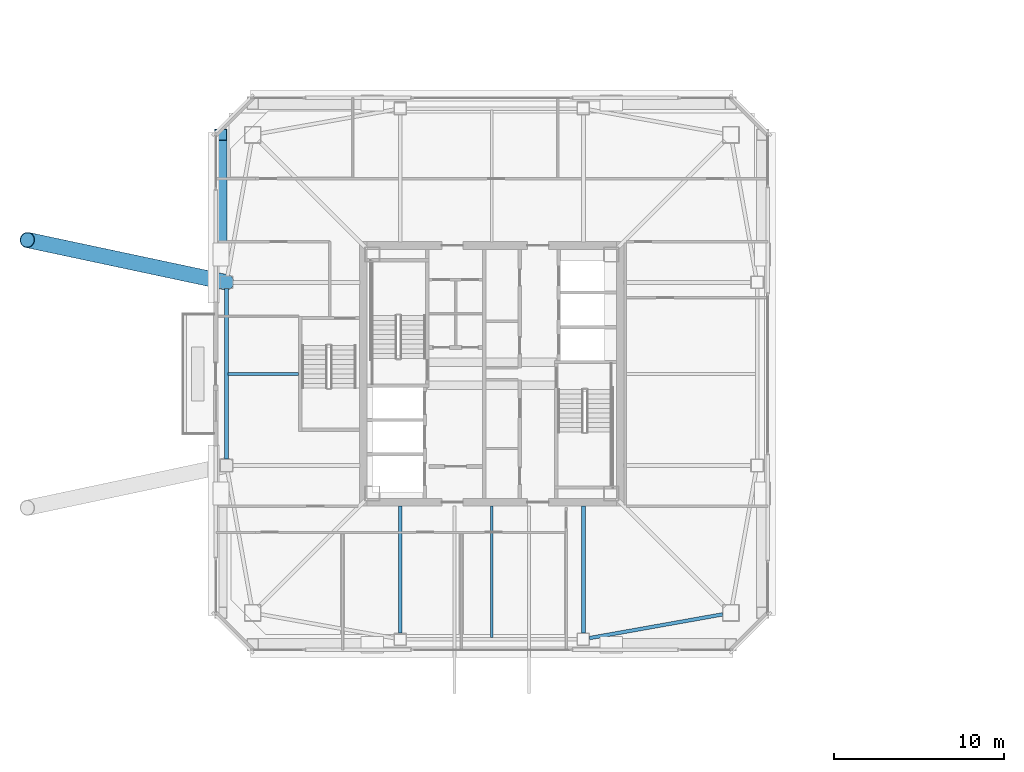
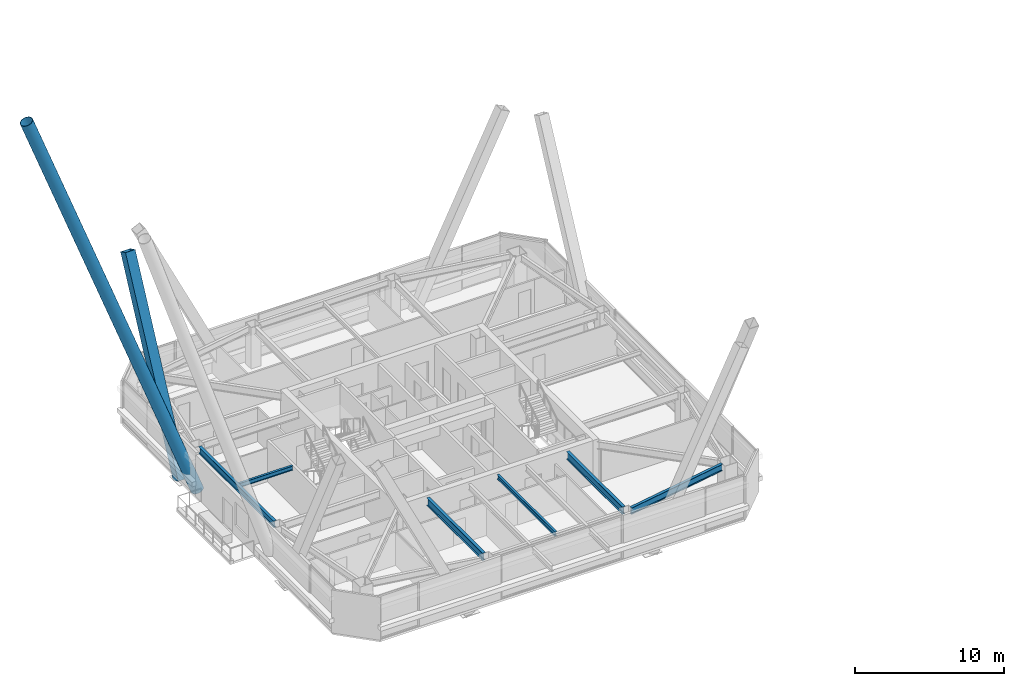
# One storey, part 10 of 56: 6 beams, 2 members.
"""IFC4 building model written with IfcOpenShell, lengths in metres."""

from ifc_helpers import new_model, si_unit, direction, frame, origin, origin_2d, place, context, subcontext, project, spatial, hollow_rectangle, hollow_circle, i_section, extrude, material, material_profile, profile_set, type_object, element, save


model = new_model("IFC4")

# Units and contexts
model_context = context("Model", 3, precision=1e-05, world=origin(), true_north=direction((0.0, 1.0)))
body_context = subcontext(model_context, "Body", "Model", "MODEL_VIEW")
ifc_project = project(units=[si_unit("LENGTHUNIT", "METRE"), si_unit("AREAUNIT", "SQUARE_METRE"), si_unit("VOLUMEUNIT", "CUBIC_METRE"), si_unit("PLANEANGLEUNIT", "RADIAN"), si_unit("MASSUNIT", "GRAM", prefix="KILO")], contexts=[model_context])

# Site, building, storey
site_placement = place(None, origin())
site = spatial("IfcSite", under=ifc_project, at=site_placement, CompositionType="ELEMENT")
building_placement = place(site_placement, origin())
building = spatial("IfcBuilding", under=site, at=building_placement, Name="Tashvorn Skyway Center", CompositionType="ELEMENT")
storey_placement = place(building_placement, frame((0.0, 0.0, 218.39990234375)))
storey = spatial("IfcBuildingStorey", under=building, at=storey_placement, Name="L59", CompositionType="ELEMENT", Elevation=218.39990234375)

# Beams
ifc_material_1 = material(Name="Steel ASTM A992 Grade 50", Category="steel")
ifc_material_profile_1 = material_profile(ifc_material_1, i_section(OverallWidth=0.22998046875, OverallDepth=0.616943359375, WebThickness=0.01318359375, FlangeThickness=0.022216796875, at=origin_2d()), Name="W24X94")
ifc_profile_set_1 = profile_set([ifc_material_profile_1], Name="Steel ASTM A992 Grade 50")
beam_type_1 = type_object("IfcBeamType", Name="BM-BEAM-W24X94", PredefinedType="BEAM", material=ifc_profile_set_1)
for number, where, z_axis, x_axis, name in (
    (1, (36.60009765625, 16.719970703125, 3.0615234375), (0.0, 1.0, 0.0), (-1.0, 0.0, 0.0), "Tower 1 L59 Primary Floor Girder FC-S1"),
    (2, (47.39990234375, 16.719970703125, 3.0615234375), (0.0, 1.0, 0.0), (-1.0, 0.0, 0.0), "Tower 1 L59 Primary Floor Girder FC-S2"),
):
    element("IfcBeam", number, at=place(storey_placement, frame(where, z_axis=z_axis, x_axis=x_axis)), inside=storey, type_object=beam_type_1, Name=name, PredefinedType="BEAM", context=body_context, shape_type="SweptSolid", body=[
        extrude(i_section(OverallWidth=0.22998046875, OverallDepth=0.616943359375, WebThickness=0.01318359375, FlangeThickness=0.022216796875, at=origin_2d()), origin(), (0.0, 0.0, 1.0), 7.5),
    ])
ifc_material_profile_2 = material_profile(ifc_material_1, i_section(OverallWidth=0.1708984375, OverallDepth=0.35498046875, WebThickness=0.007080078125, FlangeThickness=0.01171875, at=origin_2d()), Name="W14X34")
ifc_profile_set_2 = profile_set([ifc_material_profile_2], Name="Steel ASTM A992 Grade 50")
beam_type_2 = type_object("IfcBeamType", Name="BM-JOIST-W14X34", PredefinedType="JOIST", material=ifc_profile_set_2)
beam_1_placement = place(storey_placement, frame((42.0, 24.2099609375, 3.192626953125), z_axis=(0.0, -1.0, 0.0), x_axis=(1.0, 0.0, 0.0)))
element("IfcBeam", 3, at=beam_1_placement, inside=storey, type_object=beam_type_2, Name="Tower 1 L59 Secondary Composite Joist JS", PredefinedType="JOIST", context=body_context, shape_type="SweptSolid", body=[
    extrude(i_section(OverallWidth=0.1708984375, OverallDepth=0.35498046875, WebThickness=0.007080078125, FlangeThickness=0.01171875, at=origin_2d()), origin(), (0.0, 0.0, 1.0), 7.762451171875),
])
beam_2_placement = place(storey_placement, frame((30.610107421875, 32.0, 3.192626953125), z_axis=(-1.0, 0.0, 0.0), x_axis=(0.0, -1.0, 0.0)))
element("IfcBeam", 4, at=beam_2_placement, inside=storey, type_object=beam_type_2, Name="Tower 1 L59 Secondary Composite Joist JW", PredefinedType="JOIST", context=body_context, shape_type="SweptSolid", body=[
    extrude(i_section(OverallWidth=0.1708984375, OverallDepth=0.35498046875, WebThickness=0.007080078125, FlangeThickness=0.01171875, at=origin_2d()), origin(), (0.0, 0.0, 1.0), 4.16259765625),
])
ifc_material_profile_3 = material_profile(ifc_material_1, i_section(OverallWidth=0.2109375, OverallDepth=0.5390625, WebThickness=0.01171875, FlangeThickness=0.018798828125, at=origin_2d()), Name="W21X73")
ifc_profile_set_3 = profile_set([ifc_material_profile_3], Name="Steel ASTM A992 Grade 50")
beam_type_3 = type_object("IfcBeamType", Name="BM-SPANDREL-W21X73", PredefinedType="SPANDREL", material=ifc_profile_set_3)
beam_3_placement = place(storey_placement, frame((47.76416015625, 16.414794921875, 3.1005859375), z_axis=(0.984494883191, 0.17541329759, 0.0), x_axis=(-0.17541329759, 0.984494883191, 0.0)))
element("IfcBeam", 5, at=beam_3_placement, inside=storey, type_object=beam_type_3, Name="Tower 1 L59 Spandrel Beam 03", PredefinedType="SPANDREL", context=body_context, shape_type="SweptSolid", body=[
    extrude(i_section(OverallWidth=0.2109375, OverallDepth=0.5390625, WebThickness=0.01171875, FlangeThickness=0.018798828125, at=origin_2d()), origin(), (0.0, 0.0, 1.0), 7.97216796875),
])
beam_4_placement = place(storey_placement, frame((26.35009765625, 37.030029296875, 3.1005859375), z_axis=(0.0, -1.0, 0.0), x_axis=(1.0, 0.0, 0.0)))
element("IfcBeam", 6, at=beam_4_placement, inside=storey, type_object=beam_type_3, Name="Tower 1 L59 Spandrel Beam 11", PredefinedType="SPANDREL", context=body_context, shape_type="SweptSolid", body=[
    extrude(i_section(OverallWidth=0.2109375, OverallDepth=0.5390625, WebThickness=0.01171875, FlangeThickness=0.018798828125, at=origin_2d()), origin(), (0.0, 0.0, 1.0), 10.06005859375),
])

# Members
ifc_material_2 = material(Name="Steel ASTM A572 Grade 50", Category="steel")
ifc_material_profile_4 = material_profile(ifc_material_2, hollow_rectangle(XDim=0.75, YDim=0.75, WallThickness=0.031982421875, at=origin_2d()), Name="BOX750x750x32")
ifc_profile_set_4 = profile_set([ifc_material_profile_4], Name="Steel ASTM A572 Grade 50")
member_type_1 = type_object("IfcMemberType", Name="MEM-MB-750", PredefinedType="BRACE", material=ifc_profile_set_4)
member_1_placement = place(storey_placement, frame((26.02001953125, 39.050048828125, -0.449951171875), z_axis=(0.0, 0.439219679919, 0.898379692987), x_axis=(-1.0, 0.0, 0.0)))
element("IfcMember", 7, at=member_1_placement, inside=storey, type_object=member_type_1, Name="Tower 1 Zone 5 W Chevron Mega-Brace L2", PredefinedType="BRACE", context=body_context, shape_type="SweptSolid", body=[
    extrude(hollow_rectangle(XDim=0.75, YDim=0.75, WallThickness=0.031982421875, at=origin_2d()), origin(), (0.0, 0.0, 1.0), 16.05126953125),
])
ifc_material_profile_5 = material_profile(ifc_material_2, hollow_circle(Radius=0.45703125, WallThickness=0.031982421875, at=origin_2d()), Name="CHS914x32")
ifc_profile_set_5 = profile_set([ifc_material_profile_5], Name="Steel ASTM A572 Grade 50")
member_type_2 = type_object("IfcMemberType", Name="MEM-MS-914", PredefinedType="STRUT", material=ifc_profile_set_5)
member_2_placement = place(storey_placement, frame((26.35009765625, 37.39990234375, -0.3798828125), z_axis=(-0.337700631611, 0.071851198215, 0.938507159655), x_axis=(-0.208107644465, -0.978105928985, 0.0)))
element("IfcMember", 8, at=member_2_placement, inside=storey, type_object=member_type_2, Name="Sky-Park West Cantilever Mega-Strut 2", PredefinedType="STRUT", context=body_context, shape_type="SweptSolid", body=[
    extrude(hollow_circle(Radius=0.45703125, WallThickness=0.031982421875, at=origin_2d()), origin(), (0.0, 0.0, 1.0), 34.794189453125),
])

save(model, "model.ifc")
